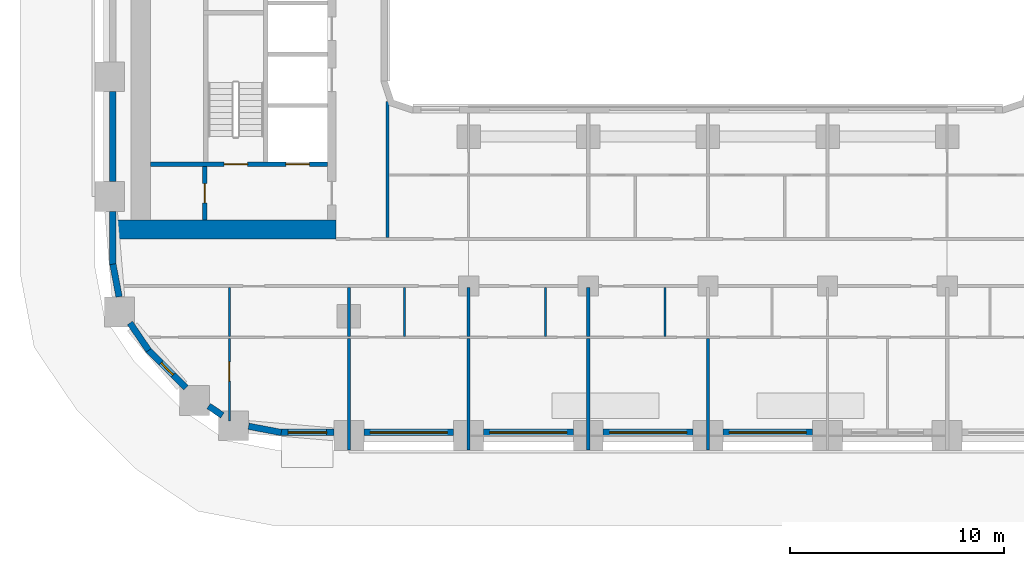
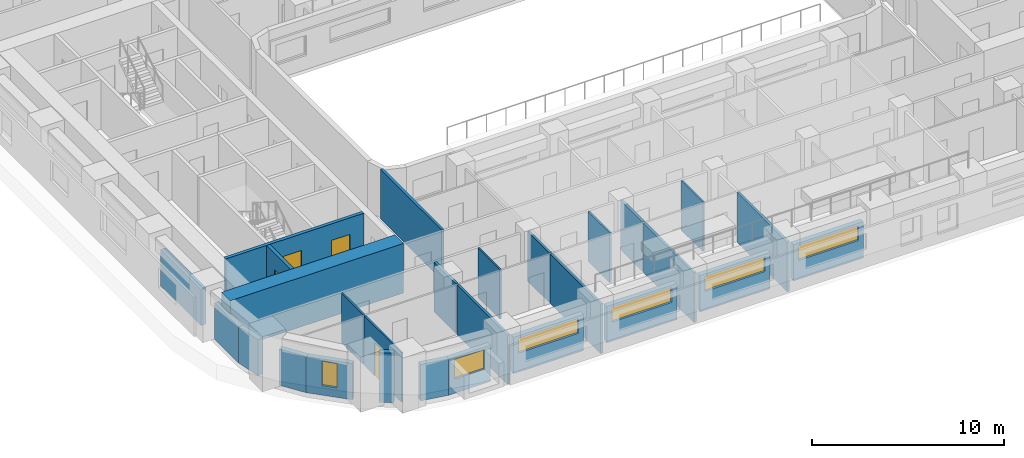
# One storey, part 2 of 18: 28 walls, 6 windows, 4 doors, 10 openings.
"""IFC4 building model written with IfcOpenShell, lengths in metres."""

from ifc_helpers import new_model, si_unit, direction, frame, frame_2d, origin, place, context, subcontext, project, spatial, rectangle, extrude, material, layer, layer_set, type_object, element, fill, save


model = new_model("IFC4")

# Units and contexts
model_context = context("Model", 3, precision=1e-05, world=origin(), true_north=direction((0.0, 1.0)))
body_context = subcontext(model_context, "Body", "Model", "MODEL_VIEW")
ifc_project = project(units=[si_unit("LENGTHUNIT", "METRE"), si_unit("AREAUNIT", "SQUARE_METRE"), si_unit("VOLUMEUNIT", "CUBIC_METRE"), si_unit("PLANEANGLEUNIT", "RADIAN"), si_unit("MASSUNIT", "GRAM", prefix="KILO")], contexts=[model_context])

# Site, building, storey
site_placement = place(None, origin())
site = spatial("IfcSite", under=ifc_project, at=site_placement, CompositionType="ELEMENT")
building_placement = place(site_placement, origin())
building = spatial("IfcBuilding", under=site, at=building_placement, Name="Kiln Ring Residences", CompositionType="ELEMENT")
storey_placement = place(building_placement, frame((0.0, 0.0, 69.0)))
storey = spatial("IfcBuildingStorey", under=building, at=storey_placement, Name="L17", CompositionType="ELEMENT", Elevation=69.0)

# Wall, opening, door
ifc_material_1 = material(Name="Gypsum board on steel studs", Category="steel")
ifc_layer_1 = layer(ifc_material_1, 0.199951171875)
ifc_layer_set_1 = layer_set([ifc_layer_1], Name="CORE-PARTITION-200")
wall_type_1 = type_object("IfcWallType", Name="CORE-PARTITION-200", PredefinedType="PARTITIONING", material=ifc_layer_set_1)
wall_1_placement = place(storey_placement, frame((-23.550048828125, -12.300048828125, 0.0), z_axis=(0.0, 0.0, 1.0), x_axis=(0.0, 1.0, 0.0)))
wall_1 = element("IfcWall", 1, at=wall_1_placement, inside=storey, type_object=wall_type_1, Name="Core partition west L17 5", PredefinedType="PARTITIONING", context=body_context, shape_type="SweptSolid", body=[
    extrude(rectangle(XDim=2.5, YDim=0.199951171875, at=frame_2d((1.25, 0.0))), origin(), (0.0, 0.0, 1.0), 3.14990234375),
])
opening_1_placement = place(wall_1_placement, frame((0.800048828125, 0.0, 0.0)))
opening_1 = element("IfcOpeningElement", 2, at=opening_1_placement, cuts=wall_1, Name="Opening L17-CW11", PredefinedType="OPENING", context=body_context, shape_type="SweptSolid", body=[
    extrude(rectangle(XDim=0.89990234375, YDim=2.10009765625, at=frame_2d((0.449951171875, 1.050048828125))), frame((0.0, 0.10986328125, 0.0), z_axis=(0.0, -1.0, 0.0), x_axis=(1.0, 0.0, 0.0)), (0.0, 0.0, 1.0), 0.219970703125),
])
ifc_material_2 = material(Name="Steel door leaf", Category="steel")
door_type_1 = type_object("IfcDoorType", Name="CORE-DOOR-ROOM", OperationType="SINGLE_SWING_LEFT", PredefinedType="DOOR", material=ifc_material_2)
door_1_placement = place(opening_1_placement, origin())
door_1 = element("IfcDoor", 3, at=door_1_placement, inside=storey, type_object=door_type_1, Name="Store L17-CW11", OperationType="SINGLE_SWING_LEFT", OverallHeight=2.10009765625, OverallWidth=0.89990234375, PredefinedType="DOOR", context=body_context, shape_type="SweptSolid", body=[
    extrude(rectangle(XDim=0.89990234375, YDim=2.10009765625, at=frame_2d((0.449951171875, 1.050048828125))), frame((0.0, 0.02490234375, 0.0), z_axis=(0.0, -1.0, 0.0), x_axis=(1.0, 0.0, 0.0)), (0.0, 0.0, 1.0), 0.050048828125),
])
fill(opening_1, door_1)

# Wall, openings, doors
ifc_material_3 = material(Name="Concrete C40/50", Category="concrete")
ifc_layer_2 = layer(ifc_material_3, 0.199951171875)
ifc_layer_set_2 = layer_set([ifc_layer_2], Name="CORE-WALL-RC200")
wall_type_2 = type_object("IfcWallType", Name="CORE-WALL-RC200", PredefinedType="SHEAR", material=ifc_layer_set_2)
wall_2_placement = place(storey_placement, frame((-17.800048828125, -9.699951171875, 0.0), z_axis=(0.0, 0.0, 1.0), x_axis=(-1.0, 0.0, 0.0)))
wall_2 = element("IfcWall", 4, at=wall_2_placement, inside=storey, type_object=wall_type_2, Name="Core wall west L17 8", PredefinedType="SHEAR", context=body_context, shape_type="SweptSolid", body=[
    extrude(rectangle(XDim=8.300048828125, YDim=0.199951171875, at=frame_2d((4.14990234375, 0.0))), origin(), (0.0, 0.0, 1.0), 3.14990234375),
])
opening_2_placement = place(wall_2_placement, frame((0.85009765625, 0.0, 0.0)))
opening_2 = element("IfcOpeningElement", 5, at=opening_2_placement, cuts=wall_2, Name="Opening L17-CW01", PredefinedType="OPENING", context=body_context, shape_type="SweptSolid", body=[
    extrude(rectangle(XDim=1.10009765625, YDim=2.10009765625, at=frame_2d((0.550048828125, 1.050048828125))), frame((0.0, 0.10986328125, 0.0), z_axis=(0.0, -1.0, 0.0), x_axis=(1.0, 0.0, 0.0)), (0.0, 0.0, 1.0), 0.219970703125),
])
opening_3_placement = place(wall_2_placement, frame((3.75, 0.0, 0.0)))
opening_3 = element("IfcOpeningElement", 6, at=opening_3_placement, cuts=wall_2, Name="Opening L17-CW13", PredefinedType="OPENING", context=body_context, shape_type="SweptSolid", body=[
    extrude(rectangle(XDim=1.10009765625, YDim=2.10009765625, at=frame_2d((0.550048828125, 1.050048828125))), frame((0.0, 0.10986328125, 0.0), z_axis=(0.0, -1.0, 0.0), x_axis=(1.0, 0.0, 0.0)), (0.0, 0.0, 1.0), 0.219970703125),
])
ifc_material_4 = material(Name="Steel door leaf", Category="steel")
door_type_2 = type_object("IfcDoorType", Name="CORE-DOOR-LD", OperationType="DOUBLE_DOOR_SLIDING", PredefinedType="DOOR", material=ifc_material_4)
door_2_placement = place(opening_2_placement, origin())
door_2 = element("IfcDoor", 7, at=door_2_placement, inside=storey, type_object=door_type_2, Name="LD W-SV L17-CW01", OperationType="DOUBLE_DOOR_SLIDING", OverallHeight=2.10009765625, OverallWidth=1.10009765625, PredefinedType="DOOR", context=body_context, shape_type="SweptSolid", body=[
    extrude(rectangle(XDim=1.10009765625, YDim=2.10009765625, at=frame_2d((0.550048828125, 1.050048828125))), frame((0.0, 0.02490234375, 0.0), z_axis=(0.0, -1.0, 0.0), x_axis=(1.0, 0.0, 0.0)), (0.0, 0.0, 1.0), 0.050048828125),
])
fill(opening_2, door_2)
ifc_material_5 = material(Name="Steel door leaf", Category="steel")
door_type_3 = type_object("IfcDoorType", Name="CORE-DOOR-STAIR", OperationType="SINGLE_SWING_LEFT", PredefinedType="DOOR", material=ifc_material_5)
door_3_placement = place(opening_3_placement, origin())
door_3 = element("IfcDoor", 8, at=door_3_placement, inside=storey, type_object=door_type_3, Name="Stair W-STS L17-CW13", OperationType="SINGLE_SWING_RIGHT", OverallHeight=2.10009765625, OverallWidth=1.10009765625, PredefinedType="DOOR", context=body_context, shape_type="SweptSolid", body=[
    extrude(rectangle(XDim=1.10009765625, YDim=2.10009765625, at=frame_2d((0.550048828125, 1.050048828125))), frame((0.0, 0.02490234375, 0.0), z_axis=(0.0, -1.0, 0.0), x_axis=(1.0, 0.0, 0.0)), (0.0, 0.0, 1.0), 0.050048828125),
])
fill(opening_3, door_3)

# Wall
ifc_material_6 = material(Name="Concrete C60/75", Category="concrete")
ifc_layer_3 = layer(ifc_material_6, 0.89990234375)
ifc_layer_set_3 = layer_set([ifc_layer_3], Name="CORE-WALL-RC900")
wall_type_3 = type_object("IfcWallType", Name="CORE-WALL-RC900", PredefinedType="SHEAR", material=ifc_layer_set_3)
wall_3_placement = place(storey_placement, frame((-17.39990234375, -12.75, 0.0), z_axis=(0.0, 0.0, 1.0), x_axis=(-1.0, 0.0, 0.0)))
element("IfcWall", 9, at=wall_3_placement, inside=storey, type_object=wall_type_3, Name="Core wall west L17 5", PredefinedType="SHEAR", context=body_context, shape_type="SweptSolid", body=[
    extrude(rectangle(XDim=10.400146484375, YDim=0.89990234375, at=frame_2d((5.2001953125, 0.0))), origin(), (0.0, 0.0, 1.0), 3.14990234375),
])

# Wall, opening, window
ifc_material_7 = material(Name="Brick masonry, dark clay brick", Category="masonry")
ifc_layer_4 = layer(ifc_material_7, 0.300048828125)
ifc_layer_set_4 = layer_set([ifc_layer_4], Name="EW-300 BRICK WALL")
wall_type_4 = type_object("IfcWallType", Name="EW-300 BRICK WALL", PredefinedType="SOLIDWALL", material=ifc_layer_set_4)
wall_4_placement = place(storey_placement, frame((-26.19677734375, -18.390869140625, 0.0), z_axis=(0.0, 0.0, 1.0), x_axis=(0.707057949532, -0.707155609469, 0.0)))
wall_4 = element("IfcWall", 10, at=wall_4_placement, inside=storey, type_object=wall_type_4, Name="Facade wall L17 1", PredefinedType="SOLIDWALL", context=body_context, shape_type="SweptSolid", body=[
    extrude(rectangle(XDim=2.5, YDim=0.300048828125, at=frame_2d((1.25, 0.0))), origin(), (0.0, 0.0, 1.0), 2.300048828125),
])
opening_4_placement = place(wall_4_placement, frame((0.85009765625, 0.0, 0.60009765625)))
opening_4 = element("IfcOpeningElement", 11, at=opening_4_placement, cuts=wall_4, Name="Opening W5", PredefinedType="OPENING", context=body_context, shape_type="SweptSolid", body=[
    extrude(rectangle(XDim=0.800048828125, YDim=1.550048828125, at=frame_2d((0.39990234375, 0.77490234375))), frame((0.0, 0.159912109375, 0.0), z_axis=(0.0, -1.0, 0.0), x_axis=(1.0, 0.0, 0.0)), (0.0, 0.0, 1.0), 0.320068359375),
])
ifc_material_8 = material(Name="Aluminium frame with double glazing", Category="aluminium")
window_type_1 = type_object("IfcWindowType", Name="WINDOW 800 x 1550", PartitioningType="SINGLE_PANEL", PredefinedType="WINDOW", material=ifc_material_8)
window_1_placement = place(opening_4_placement, origin())
window_1 = element("IfcWindow", 12, at=window_1_placement, inside=storey, type_object=window_type_1, Name="Window L17 1", OverallHeight=1.550048828125, OverallWidth=0.800048828125, PartitioningType="SINGLE_PANEL", PredefinedType="WINDOW", context=body_context, shape_type="SweptSolid", body=[
    extrude(rectangle(XDim=0.800048828125, YDim=1.550048828125, at=frame_2d((0.39990234375, 0.77490234375))), frame((0.0, 0.030029296875, 0.0), z_axis=(0.0, -1.0, 0.0), x_axis=(1.0, 0.0, 0.0)), (0.0, 0.0, 1.0), 0.06005859375),
])
fill(opening_4, window_1)

# Walls
wall_5_placement = place(storey_placement, frame((-23.368408203125, -21.016845703125, 0.0), z_axis=(0.0, 0.0, 1.0), x_axis=(0.827037530089, -0.562146710232, 0.0)))
element("IfcWall", 13, at=wall_5_placement, inside=storey, type_object=wall_type_4, Name="Facade wall L17 2", PredefinedType="SOLIDWALL", context=body_context, shape_type="SweptSolid", body=[
    extrude(rectangle(XDim=0.77685546875, YDim=0.300048828125, at=frame_2d((0.388427734375, 0.0))), origin(), (0.0, 0.0, 1.0), 3.14990234375),
])
wall_6_placement = place(storey_placement, frame((-21.50048828125, -21.961181640625, 0.0), z_axis=(0.0, 0.0, 1.0), x_axis=(0.982297345734, -0.187328386968, 0.0)))
element("IfcWall", 14, at=wall_6_placement, inside=storey, type_object=wall_type_4, Name="Facade wall L17 3", PredefinedType="SOLIDWALL", context=body_context, shape_type="SweptSolid", body=[
    extrude(rectangle(XDim=1.55615234375, YDim=0.300048828125, at=frame_2d((0.778076171875, 0.0))), origin(), (0.0, 0.0, 1.0), 2.300048828125),
])

# Wall, opening, window
wall_7_placement = place(storey_placement, frame((-20.0, -22.25, 0.0), z_axis=(0.0, 0.0, 1.0), x_axis=(1.0, 0.0, 0.0)))
wall_7 = element("IfcWall", 15, at=wall_7_placement, inside=storey, type_object=wall_type_4, Name="Facade wall L17 4", PredefinedType="SOLIDWALL", context=body_context, shape_type="SweptSolid", body=[
    extrude(rectangle(XDim=2.5, YDim=0.300048828125, at=frame_2d((1.25, 0.0))), origin(), (0.0, 0.0, 1.0), 2.300048828125),
])
opening_5_placement = place(wall_7_placement, frame((0.35009765625, 0.0, 0.89990234375)))
opening_5 = element("IfcOpeningElement", 16, at=opening_5_placement, cuts=wall_7, Name="Opening W2", PredefinedType="OPENING", context=body_context, shape_type="SweptSolid", body=[
    extrude(rectangle(XDim=1.800048828125, YDim=1.25, at=frame_2d((0.89990234375, 0.625))), frame((0.0, 0.159912109375, 0.0), z_axis=(0.0, -1.0, 0.0), x_axis=(1.0, 0.0, 0.0)), (0.0, 0.0, 1.0), 0.320068359375),
])
ifc_material_9 = material(Name="Aluminium frame with double glazing", Category="aluminium")
window_type_2 = type_object("IfcWindowType", Name="WINDOW 1800 x 1250", PartitioningType="SINGLE_PANEL", PredefinedType="WINDOW", material=ifc_material_9)
window_2_placement = place(opening_5_placement, origin())
window_2 = element("IfcWindow", 17, at=window_2_placement, inside=storey, type_object=window_type_2, Name="Window L17 2", OverallHeight=1.25, OverallWidth=1.800048828125, PartitioningType="SINGLE_PANEL", PredefinedType="WINDOW", context=body_context, shape_type="SweptSolid", body=[
    extrude(rectangle(XDim=1.800048828125, YDim=1.25, at=frame_2d((0.89990234375, 0.625))), frame((0.0, 0.030029296875, 0.0), z_axis=(0.0, -1.0, 0.0), x_axis=(1.0, 0.0, 0.0)), (0.0, 0.0, 1.0), 0.06005859375),
])
fill(opening_5, window_2)

wall_8_placement = place(storey_placement, frame((-16.10009765625, -22.25, 0.0), z_axis=(0.0, 0.0, 1.0), x_axis=(1.0, 0.0, 0.0)))
wall_8 = element("IfcWall", 18, at=wall_8_placement, inside=storey, type_object=wall_type_4, Name="Facade wall L17 5", PredefinedType="SOLIDWALL", context=body_context, shape_type="SweptSolid", body=[
    extrude(rectangle(XDim=4.2001953125, YDim=0.300048828125, at=frame_2d((2.10009765625, 0.0))), origin(), (0.0, 0.0, 1.0), 2.300048828125),
])
opening_6_placement = place(wall_8_placement, frame((0.300048828125, 0.0, 1.199951171875)))
opening_6 = element("IfcOpeningElement", 19, at=opening_6_placement, cuts=wall_8, Name="Opening W4", PredefinedType="OPENING", context=body_context, shape_type="SweptSolid", body=[
    extrude(rectangle(XDim=3.60009765625, YDim=0.949951171875, at=frame_2d((1.800048828125, 0.47509765625))), frame((0.0, 0.159912109375, 0.0), z_axis=(0.0, -1.0, 0.0), x_axis=(1.0, 0.0, 0.0)), (0.0, 0.0, 1.0), 0.320068359375),
])
ifc_material_10 = material(Name="Aluminium frame with double glazing", Category="aluminium")
window_type_3 = type_object("IfcWindowType", Name="WINDOW 3600 x 950", PartitioningType="SINGLE_PANEL", PredefinedType="WINDOW", material=ifc_material_10)
window_3_placement = place(opening_6_placement, origin())
window_3 = element("IfcWindow", 20, at=window_3_placement, inside=storey, type_object=window_type_3, Name="Window L17 3", OverallHeight=0.949951171875, OverallWidth=3.60009765625, PartitioningType="SINGLE_PANEL", PredefinedType="WINDOW", context=body_context, shape_type="SweptSolid", body=[
    extrude(rectangle(XDim=3.60009765625, YDim=0.949951171875, at=frame_2d((1.800048828125, 0.47509765625))), frame((0.0, 0.030029296875, 0.0), z_axis=(0.0, -1.0, 0.0), x_axis=(1.0, 0.0, 0.0)), (0.0, 0.0, 1.0), 0.06005859375),
])
fill(opening_6, window_3)

wall_9_placement = place(storey_placement, frame((-10.5, -22.25, 0.0), z_axis=(0.0, 0.0, 1.0), x_axis=(1.0, 0.0, 0.0)))
wall_9 = element("IfcWall", 21, at=wall_9_placement, inside=storey, type_object=wall_type_4, Name="Facade wall L17 6", PredefinedType="SOLIDWALL", context=body_context, shape_type="SweptSolid", body=[
    extrude(rectangle(XDim=4.199951171875, YDim=0.300048828125, at=frame_2d((2.10009765625, 0.0))), origin(), (0.0, 0.0, 1.0), 2.300048828125),
])
opening_7_placement = place(wall_9_placement, frame((0.300048828125, 0.0, 1.199951171875)))
opening_7 = element("IfcOpeningElement", 22, at=opening_7_placement, cuts=wall_9, Name="Opening W4", PredefinedType="OPENING", context=body_context, shape_type="SweptSolid", body=[
    extrude(rectangle(XDim=3.60009765625, YDim=0.949951171875, at=frame_2d((1.800048828125, 0.47509765625))), frame((0.0, 0.159912109375, 0.0), z_axis=(0.0, -1.0, 0.0), x_axis=(1.0, 0.0, 0.0)), (0.0, 0.0, 1.0), 0.320068359375),
])
window_4_placement = place(opening_7_placement, origin())
window_4 = element("IfcWindow", 23, at=window_4_placement, inside=storey, type_object=window_type_3, Name="Window L17 4", OverallHeight=0.949951171875, OverallWidth=3.60009765625, PartitioningType="SINGLE_PANEL", PredefinedType="WINDOW", context=body_context, shape_type="SweptSolid", body=[
    extrude(rectangle(XDim=3.60009765625, YDim=0.949951171875, at=frame_2d((1.800048828125, 0.47509765625))), frame((0.0, 0.030029296875, 0.0), z_axis=(0.0, -1.0, 0.0), x_axis=(1.0, 0.0, 0.0)), (0.0, 0.0, 1.0), 0.06005859375),
])
fill(opening_7, window_4)

wall_10_placement = place(storey_placement, frame((-4.89990234375, -22.25, 0.0), z_axis=(0.0, 0.0, 1.0), x_axis=(1.0, 0.0, 0.0)))
wall_10 = element("IfcWall", 24, at=wall_10_placement, inside=storey, type_object=wall_type_4, Name="Facade wall L17 7", PredefinedType="SOLIDWALL", context=body_context, shape_type="SweptSolid", body=[
    extrude(rectangle(XDim=4.199951171875, YDim=0.300048828125, at=frame_2d((2.10009765625, 0.0))), origin(), (0.0, 0.0, 1.0), 2.300048828125),
])
opening_8_placement = place(wall_10_placement, frame((0.300048828125, 0.0, 1.199951171875)))
opening_8 = element("IfcOpeningElement", 25, at=opening_8_placement, cuts=wall_10, Name="Opening W4", PredefinedType="OPENING", context=body_context, shape_type="SweptSolid", body=[
    extrude(rectangle(XDim=3.60009765625, YDim=0.949951171875, at=frame_2d((1.800048828125, 0.47509765625))), frame((0.0, 0.159912109375, 0.0), z_axis=(0.0, -1.0, 0.0), x_axis=(1.0, 0.0, 0.0)), (0.0, 0.0, 1.0), 0.320068359375),
])
window_5_placement = place(opening_8_placement, origin())
window_5 = element("IfcWindow", 26, at=window_5_placement, inside=storey, type_object=window_type_3, Name="Window L17 5", OverallHeight=0.949951171875, OverallWidth=3.60009765625, PartitioningType="SINGLE_PANEL", PredefinedType="WINDOW", context=body_context, shape_type="SweptSolid", body=[
    extrude(rectangle(XDim=3.60009765625, YDim=0.949951171875, at=frame_2d((1.800048828125, 0.47509765625))), frame((0.0, 0.030029296875, 0.0), z_axis=(0.0, -1.0, 0.0), x_axis=(1.0, 0.0, 0.0)), (0.0, 0.0, 1.0), 0.06005859375),
])
fill(opening_8, window_5)

wall_11_placement = place(storey_placement, frame((0.699951171875, -22.25, 0.0), z_axis=(0.0, 0.0, 1.0), x_axis=(1.0, 0.0, 0.0)))
wall_11 = element("IfcWall", 27, at=wall_11_placement, inside=storey, type_object=wall_type_4, Name="Facade wall L17 8", PredefinedType="SOLIDWALL", context=body_context, shape_type="SweptSolid", body=[
    extrude(rectangle(XDim=4.199951171875, YDim=0.300048828125, at=frame_2d((2.10009765625, 0.0))), origin(), (0.0, 0.0, 1.0), 2.300048828125),
])
opening_9_placement = place(wall_11_placement, frame((0.300048828125, 0.0, 1.199951171875)))
opening_9 = element("IfcOpeningElement", 28, at=opening_9_placement, cuts=wall_11, Name="Opening W4", PredefinedType="OPENING", context=body_context, shape_type="SweptSolid", body=[
    extrude(rectangle(XDim=3.60009765625, YDim=0.949951171875, at=frame_2d((1.800048828125, 0.47509765625))), frame((0.0, 0.159912109375, 0.0), z_axis=(0.0, -1.0, 0.0), x_axis=(1.0, 0.0, 0.0)), (0.0, 0.0, 1.0), 0.320068359375),
])
window_6_placement = place(opening_9_placement, origin())
window_6 = element("IfcWindow", 29, at=window_6_placement, inside=storey, type_object=window_type_3, Name="Window L17 6", OverallHeight=0.949951171875, OverallWidth=3.60009765625, PartitioningType="SINGLE_PANEL", PredefinedType="WINDOW", context=body_context, shape_type="SweptSolid", body=[
    extrude(rectangle(XDim=3.60009765625, YDim=0.949951171875, at=frame_2d((1.800048828125, 0.47509765625))), frame((0.0, 0.030029296875, 0.0), z_axis=(0.0, -1.0, 0.0), x_axis=(1.0, 0.0, 0.0)), (0.0, 0.0, 1.0), 0.06005859375),
])
fill(opening_9, window_6)

# Walls
wall_12_placement = place(storey_placement, frame((-27.85009765625, -6.300048828125, 0.0), z_axis=(0.0, 0.0, 1.0), x_axis=(0.0, -1.0, 0.0)))
element("IfcWall", 30, at=wall_12_placement, inside=storey, type_object=wall_type_4, Name="Facade wall L17 45", PredefinedType="SOLIDWALL", context=body_context, shape_type="SweptSolid", body=[
    extrude(rectangle(XDim=4.199951171875, YDim=0.300048828125, at=frame_2d((2.10009765625, 0.0))), origin(), (0.0, 0.0, 1.0), 2.300048828125),
])
wall_13_placement = place(storey_placement, frame((-27.85009765625, -11.89990234375, 0.0), z_axis=(0.0, 0.0, 1.0), x_axis=(0.0, -1.0, 0.0)))
element("IfcWall", 31, at=wall_13_placement, inside=storey, type_object=wall_type_4, Name="Facade wall L17 46", PredefinedType="SOLIDWALL", context=body_context, shape_type="SweptSolid", body=[
    extrude(rectangle(XDim=2.5, YDim=0.300048828125, at=frame_2d((1.25, 0.0))), origin(), (0.0, 0.0, 1.0), 2.300048828125),
])
for number, where, z_axis, x_axis, name in (
    (32, (-27.8525390625, -14.371826171875, 0.0), (0.0, 0.0, 1.0), (0.187328386968, -0.982297345734, 0.0), "Facade wall L17 47"),
    (33, (-27.053466796875, -17.125732421875, 0.0), (0.0, 0.0, 1.0), (0.56199241657, -0.827142384187, 0.0), "Facade wall L17 48"),
):
    element("IfcWall", number, at=place(storey_placement, frame(where, z_axis=z_axis, x_axis=x_axis)), inside=storey, type_object=wall_type_4, Name=name, PredefinedType="SOLIDWALL", context=body_context, shape_type="SweptSolid", body=[
        extrude(rectangle(XDim=1.55615234375, YDim=0.300048828125, at=frame_2d((0.778076171875, 0.0))), origin(), (0.0, 0.0, 1.0), 2.300048828125),
    ])

# Wall, opening, door
ifc_material_11 = material(Name="Gypsum board on steel studs", Category="steel")
ifc_layer_5 = layer(ifc_material_11, 0.10009765625)
ifc_layer_set_5 = layer_set([ifc_layer_5], Name="PARTITION-100")
wall_type_5 = type_object("IfcWallType", Name="PARTITION-100", PredefinedType="PARTITIONING", material=ifc_layer_set_5)
wall_14_placement = place(storey_placement, frame((-22.39990234375, -21.719970703125, 0.0), z_axis=(0.0, 0.0, 1.0), x_axis=(0.0, 1.0, 0.0)))
wall_14 = element("IfcWall", 34, at=wall_14_placement, inside=storey, type_object=wall_type_5, Name="Partition 008", PredefinedType="PARTITIONING", context=body_context, shape_type="SweptSolid", body=[
    extrude(rectangle(XDim=3.869873046875, YDim=0.10009765625, at=frame_2d((1.93505859375, 0.0))), origin(), (0.0, 0.0, 1.0), 3.14990234375),
])
opening_10_placement = place(wall_14_placement, frame((1.8701171875, 0.0, 0.0)))
opening_10 = element("IfcOpeningElement", 35, at=opening_10_placement, cuts=wall_14, Name="Opening L17-D060", PredefinedType="OPENING", context=body_context, shape_type="SweptSolid", body=[
    extrude(rectangle(XDim=0.89990234375, YDim=2.10009765625, at=frame_2d((0.449951171875, 1.050048828125))), frame((0.0, 0.06005859375, 0.0), z_axis=(0.0, -1.0, 0.0), x_axis=(1.0, 0.0, 0.0)), (0.0, 0.0, 1.0), 0.1201171875),
])
ifc_material_12 = material(Name="Timber door leaf", Category="wood")
door_type_4 = type_object("IfcDoorType", Name="FLAT-DOOR-900-PL", OperationType="SINGLE_SWING_LEFT", PredefinedType="DOOR", material=ifc_material_12)
door_4_placement = place(opening_10_placement, origin())
door_4 = element("IfcDoor", 36, at=door_4_placement, inside=storey, type_object=door_type_4, Name="Door L17-D060", OperationType="SINGLE_SWING_LEFT", OverallHeight=2.10009765625, OverallWidth=0.89990234375, PredefinedType="DOOR", context=body_context, shape_type="SweptSolid", body=[
    extrude(rectangle(XDim=0.89990234375, YDim=2.10009765625, at=frame_2d((0.449951171875, 1.050048828125))), frame((0.0, 0.02490234375, 0.0), z_axis=(0.0, -1.0, 0.0), x_axis=(1.0, 0.0, 0.0)), (0.0, 0.0, 1.0), 0.050048828125),
])
fill(opening_10, door_4)

# Walls
for number, where, z_axis, x_axis, name in (
    (37, (-22.39990234375, -17.75, 0.0), (0.0, 0.0, 1.0), (0.0, 1.0, 0.0), "Partition 009"),
    (38, (-14.199951171875, -17.75, 0.0), (0.0, 0.0, 1.0), (0.0, 1.0, 0.0), "Partition 019"),
    (39, (-7.60009765625, -17.75, 0.0), (0.0, 0.0, 1.0), (0.0, 1.0, 0.0), "Partition 029"),
    (40, (-2.0, -17.75, 0.0), (0.0, 0.0, 1.0), (0.0, 1.0, 0.0), "Partition 040"),
):
    element("IfcWall", number, at=place(storey_placement, frame(where, z_axis=z_axis, x_axis=x_axis)), inside=storey, type_object=wall_type_5, Name=name, PredefinedType="PARTITIONING", context=body_context, shape_type="SweptSolid", body=[
        extrude(rectangle(XDim=2.27490234375, YDim=0.10009765625, at=frame_2d((1.137451171875, 0.0))), origin(), (0.0, 0.0, 1.0), 3.14990234375),
    ])
ifc_material_13 = material(Name="Brick masonry partition", Category="masonry")
ifc_layer_6 = layer(ifc_material_13, 0.14990234375)
ifc_layer_set_6 = layer_set([ifc_layer_6], Name="PARTITION-150-ei60")
wall_type_6 = type_object("IfcWallType", Name="PARTITION-150-ei60", PredefinedType="PARTITIONING", material=ifc_layer_set_6)
wall_15_placement = place(storey_placement, frame((-16.800048828125, -23.080078125, 0.0), z_axis=(0.0, 0.0, 1.0), x_axis=(0.0, 1.0, 0.0)))
element("IfcWall", 41, at=wall_15_placement, inside=storey, type_object=wall_type_6, Name="Partition 012", PredefinedType="PARTITIONING", context=body_context, shape_type="SweptSolid", body=[
    extrude(rectangle(XDim=5.22998046875, YDim=0.14990234375, at=frame_2d((2.614990234375, 0.0))), origin(), (0.0, 0.0, 1.0), 3.14990234375),
])
wall_16_placement = place(storey_placement, frame((-16.800048828125, -17.75, 0.0), z_axis=(0.0, 0.0, 1.0), x_axis=(0.0, 1.0, 0.0)))
element("IfcWall", 42, at=wall_16_placement, inside=storey, type_object=wall_type_6, Name="Partition 013", PredefinedType="PARTITIONING", context=body_context, shape_type="SweptSolid", body=[
    extrude(rectangle(XDim=2.27490234375, YDim=0.14990234375, at=frame_2d((1.137451171875, 0.0))), origin(), (0.0, 0.0, 1.0), 3.14990234375),
])
wall_17_placement = place(storey_placement, frame((-15.0, -13.125, 0.0), z_axis=(0.0, 0.0, 1.0), x_axis=(0.0, 1.0, 0.0)))
element("IfcWall", 43, at=wall_17_placement, inside=storey, type_object=wall_type_6, Name="Partition 016", PredefinedType="PARTITIONING", context=body_context, shape_type="SweptSolid", body=[
    extrude(rectangle(XDim=6.356201171875, YDim=0.14990234375, at=frame_2d((3.17822265625, 0.0))), origin(), (0.0, 0.0, 1.0), 3.14990234375),
])
wall_18_placement = place(storey_placement, frame((-11.199951171875, -23.080078125, 0.0), z_axis=(0.0, 0.0, 1.0), x_axis=(0.0, 1.0, 0.0)))
element("IfcWall", 44, at=wall_18_placement, inside=storey, type_object=wall_type_6, Name="Partition 024", PredefinedType="PARTITIONING", context=body_context, shape_type="SweptSolid", body=[
    extrude(rectangle(XDim=5.22998046875, YDim=0.14990234375, at=frame_2d((2.614990234375, 0.0))), origin(), (0.0, 0.0, 1.0), 3.14990234375),
])
wall_19_placement = place(storey_placement, frame((-11.199951171875, -17.75, 0.0), z_axis=(0.0, 0.0, 1.0), x_axis=(0.0, 1.0, 0.0)))
element("IfcWall", 45, at=wall_19_placement, inside=storey, type_object=wall_type_6, Name="Partition 025", PredefinedType="PARTITIONING", context=body_context, shape_type="SweptSolid", body=[
    extrude(rectangle(XDim=2.27490234375, YDim=0.14990234375, at=frame_2d((1.137451171875, 0.0))), origin(), (0.0, 0.0, 1.0), 3.14990234375),
])
wall_20_placement = place(storey_placement, frame((-5.60009765625, -23.080078125, 0.0), z_axis=(0.0, 0.0, 1.0), x_axis=(0.0, 1.0, 0.0)))
element("IfcWall", 46, at=wall_20_placement, inside=storey, type_object=wall_type_6, Name="Partition 030", PredefinedType="PARTITIONING", context=body_context, shape_type="SweptSolid", body=[
    extrude(rectangle(XDim=5.22998046875, YDim=0.14990234375, at=frame_2d((2.614990234375, 0.0))), origin(), (0.0, 0.0, 1.0), 3.14990234375),
])
wall_21_placement = place(storey_placement, frame((-5.60009765625, -17.75, 0.0), z_axis=(0.0, 0.0, 1.0), x_axis=(0.0, 1.0, 0.0)))
element("IfcWall", 47, at=wall_21_placement, inside=storey, type_object=wall_type_6, Name="Partition 031", PredefinedType="PARTITIONING", context=body_context, shape_type="SweptSolid", body=[
    extrude(rectangle(XDim=2.27490234375, YDim=0.14990234375, at=frame_2d((1.137451171875, 0.0))), origin(), (0.0, 0.0, 1.0), 3.14990234375),
])
wall_22_placement = place(storey_placement, frame((0.0, -23.080078125, 0.0), z_axis=(0.0, 0.0, 1.0), x_axis=(0.0, 1.0, 0.0)))
element("IfcWall", 48, at=wall_22_placement, inside=storey, type_object=wall_type_6, Name="Partition 043", PredefinedType="PARTITIONING", context=body_context, shape_type="SweptSolid", body=[
    extrude(rectangle(XDim=5.22998046875, YDim=0.14990234375, at=frame_2d((2.614990234375, 0.0))), origin(), (0.0, 0.0, 1.0), 3.14990234375),
])

save(model, "model.ifc")
